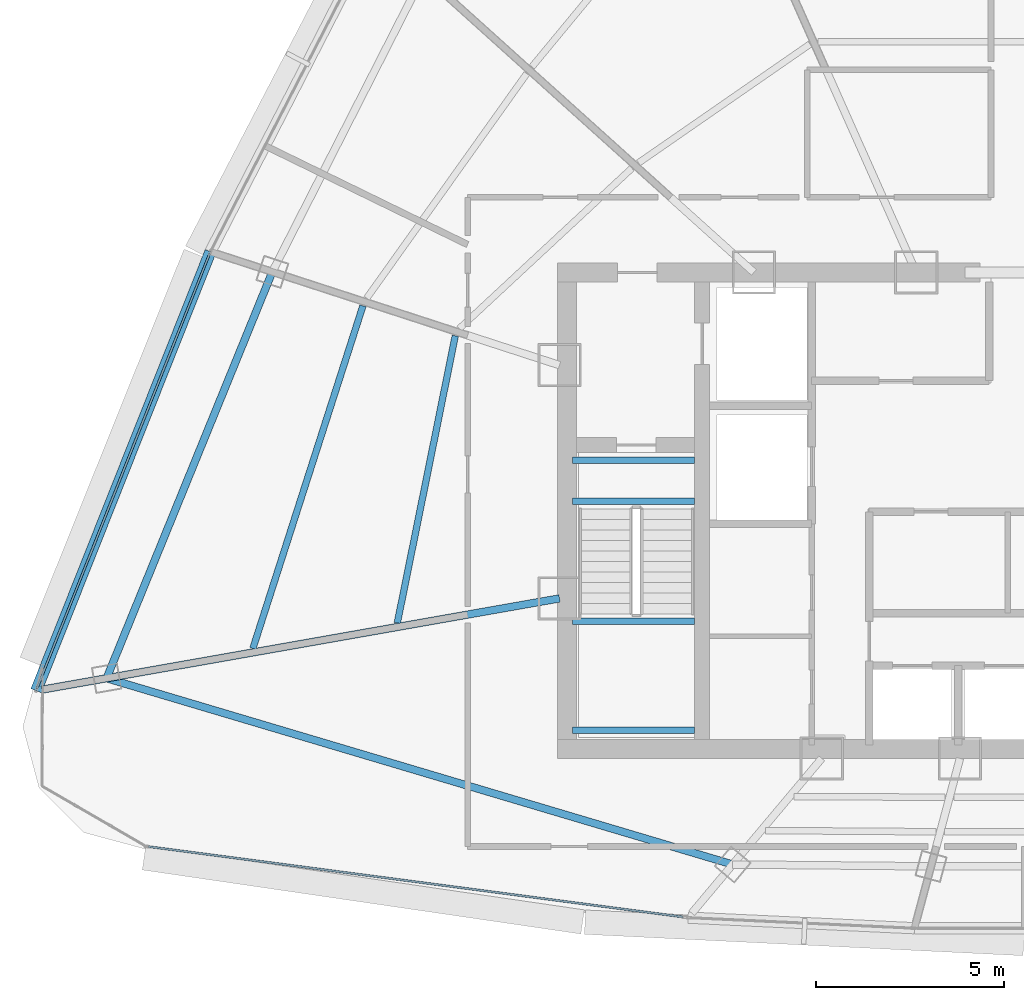
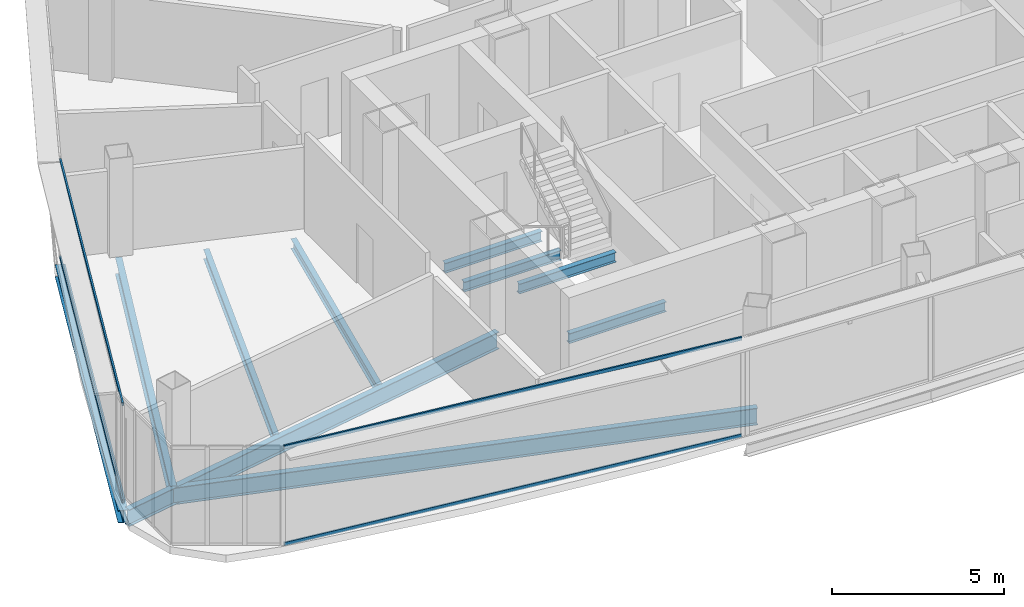
# One storey, part 3 of 29: 10 beams, 4 members, 2 elements without a shape of their own.
"""IFC4 building model written with IfcOpenShell, lengths in metres."""

from ifc_helpers import new_model, si_unit, direction, frame, origin, origin_2d, place, context, subcontext, project, spatial, hollow_rectangle, i_section, extrude, source, transform, mapped, material, layer, layer_set, material_profile, profile_set, type_object, element, aggregate, save


model = new_model("IFC4")

# Units and contexts
model_context = context("Model", 3, precision=1e-05, world=origin(), true_north=direction((0.0, 1.0)))
body_context = subcontext(model_context, "Body", "Model", "MODEL_VIEW")
ifc_project = project(units=[si_unit("LENGTHUNIT", "METRE"), si_unit("AREAUNIT", "SQUARE_METRE"), si_unit("VOLUMEUNIT", "CUBIC_METRE"), si_unit("PLANEANGLEUNIT", "RADIAN"), si_unit("MASSUNIT", "GRAM", prefix="KILO"), si_unit("THERMODYNAMICTEMPERATUREUNIT", "KELVIN"), si_unit("POWERUNIT", "WATT")], contexts=[model_context])

# Site, building, storey
site_placement = place(None, origin())
site = spatial("IfcSite", under=ifc_project, at=site_placement, CompositionType="ELEMENT")
building_placement = place(site_placement, origin())
building = spatial("IfcBuilding", under=site, at=building_placement, Name="Yunzhuo Pagoda Commons", CompositionType="ELEMENT")
storey_placement = place(building_placement, frame((0.0, 0.0, 359.260009765625)))
storey = spatial("IfcBuildingStorey", under=building, at=storey_placement, Name="L90", CompositionType="ELEMENT", Elevation=359.260009765625)

# Beams
ifc_material_1 = material(Name="Structural steel Q355B", Category="steel")
ifc_material_profile_1 = material_profile(ifc_material_1, i_section(OverallWidth=0.175048828125, OverallDepth=0.35009765625, WebThickness=0.007080078125, FlangeThickness=0.010986328125, at=origin_2d()), Name="Structural steel Q355B")
ifc_profile_set_1 = profile_set([ifc_material_profile_1], Name="Structural steel Q355B")
beam_type_1 = type_object("IfcBeamType", Name="B-JS2 Joist HN 350x175x7x11", PredefinedType="JOIST", material=ifc_profile_set_1)
shared_shape_1 = source(origin(), body_context, "Body", "SweptSolid", [
    extrude(i_section(OverallWidth=0.175048828125, OverallDepth=0.35009765625, WebThickness=0.007080078125, FlangeThickness=0.010986328125, at=origin_2d()), origin(), (0.0, 0.0, 1.0), 3.25),
])
for number, where, z_axis, x_axis, name in (
    (1, (35.949951171875, 28.0, 1.5), (1.0, 0.0, 0.0), (0.0, 1.0, 0.0), "L90 ST1 landing support beam 96A"),
    (2, (35.949951171875, 30.89990234375, 1.5), (1.0, 0.0, 0.0), (0.0, 1.0, 0.0), "L90 ST1 landing support beam 96B"),
    (3, (35.949951171875, 34.10009765625, -0.375), (1.0, 0.0, 0.0), (0.0, 1.0, 0.0), "L90 ST1 landing support beam 194A"),
    (4, (35.949951171875, 35.199951171875, -0.375), (1.0, 0.0, 0.0), (0.0, 1.0, 0.0), "L90 ST1 landing support beam 194B"),
):
    element("IfcBeam", number, at=place(storey_placement, frame(where, z_axis=z_axis, x_axis=x_axis)), inside=storey, type_object=beam_type_1, Name=name, PredefinedType="JOIST", context=body_context, shape_type="MappedRepresentation", body=[
        mapped(shared_shape_1, transform((0.0, 0.0, 0.0), scale=1.0)),
    ])
ifc_material_profile_2 = material_profile(ifc_material_1, i_section(OverallWidth=0.199951171875, OverallDepth=0.60009765625, WebThickness=0.010986328125, FlangeThickness=0.01708984375, at=origin_2d()), Name="Structural steel Q355B")
ifc_profile_set_2 = profile_set([ifc_material_profile_2], Name="Structural steel Q355B")
beam_type_2 = type_object("IfcBeamType", Name="B-RG3 Beam HN 600x200x11x17", PredefinedType="BEAM", material=ifc_profile_set_2)
shared_shape_2 = source(origin(), body_context, "Body", "SweptSolid", [
    extrude(i_section(OverallWidth=0.199951171875, OverallDepth=0.60009765625, WebThickness=0.010986328125, FlangeThickness=0.01708984375, at=origin_2d()), origin(), (0.0, 0.0, 1.0), 17.407470703125),
])
beam_1_placement = place(storey_placement, frame((23.52978515625, 29.38525390625, -0.56005859375), z_axis=(0.958484984609, -0.285143006717, 0.0), x_axis=(0.285143006717, 0.958484984609, 0.0)))
element("IfcBeam", 5, at=beam_1_placement, inside=storey, type_object=beam_type_2, Name="L90 column-ring beam 12", PredefinedType="BEAM", context=body_context, shape_type="MappedRepresentation", body=[
    mapped(shared_shape_2, transform((0.0, 0.0, 0.0), scale=1.0)),
])
shared_shape_3 = source(origin(), body_context, "Body", "SweptSolid", [
    extrude(i_section(OverallWidth=0.199951171875, OverallDepth=0.60009765625, WebThickness=0.010986328125, FlangeThickness=0.01708984375, at=origin_2d()), origin(), (0.0, 0.0, 1.0), 11.696533203125),
])
beam_2_placement = place(storey_placement, frame((27.946533203125, 40.2158203125, -0.56005859375), z_axis=(-0.377611800863, -0.925963999219, 0.0), x_axis=(0.925963999219, -0.377611800863, 0.0)))
element("IfcBeam", 6, at=beam_2_placement, inside=storey, type_object=beam_type_2, Name="L90 column-ring beam 11", PredefinedType="BEAM", context=body_context, shape_type="MappedRepresentation", body=[
    mapped(shared_shape_3, transform((0.0, 0.0, 0.0), scale=1.0)),
])
shared_shape_4 = source(origin(), body_context, "Body", "SweptSolid", [
    extrude(i_section(OverallWidth=0.175048828125, OverallDepth=0.35009765625, WebThickness=0.007080078125, FlangeThickness=0.010986328125, at=origin_2d()), origin(), (0.0, 0.0, 1.0), 7.8056640625),
])
beam_3_placement = place(storey_placement, frame((32.822265625, 38.511474609375, -0.43505859375), z_axis=(-0.197890187791, -0.980224195568, 0.0), x_axis=(0.980224195568, -0.197890187791, 0.0)))
element("IfcBeam", 7, at=beam_3_placement, inside=storey, type_object=beam_type_1, Name="L90 composite ring joist 1.11", PredefinedType="JOIST", context=body_context, shape_type="MappedRepresentation", body=[
    mapped(shared_shape_4, transform((0.0, 0.0, 0.0), scale=1.0)),
])
shared_shape_5 = source(origin(), body_context, "Body", "SweptSolid", [
    extrude(i_section(OverallWidth=0.175048828125, OverallDepth=0.35009765625, WebThickness=0.007080078125, FlangeThickness=0.010986328125, at=origin_2d()), origin(), (0.0, 0.0, 1.0), 9.593994140625),
])
beam_4_placement = place(storey_placement, frame((30.360595703125, 39.310546875, -0.43505859375), z_axis=(-0.305719218499, -0.952121714614, 0.0), x_axis=(0.952121714614, -0.305719218499, 0.0)))
element("IfcBeam", 8, at=beam_4_placement, inside=storey, type_object=beam_type_1, Name="L90 composite ring joist 2.11", PredefinedType="JOIST", context=body_context, shape_type="MappedRepresentation", body=[
    mapped(shared_shape_5, transform((0.0, 0.0, 0.0), scale=1.0)),
])
shared_shape_6 = source(origin(), body_context, "Body", "SweptSolid", [
    extrude(i_section(OverallWidth=0.199951171875, OverallDepth=0.60009765625, WebThickness=0.010986328125, FlangeThickness=0.01708984375, at=origin_2d()), origin(), (0.0, 0.0, 1.0), 14.009033203125),
])
beam_5_placement = place(storey_placement, frame((21.803955078125, 29.0810546875, -0.56005859375), z_axis=(0.984810915976, 0.17363023865, 0.0), x_axis=(-0.17363023865, 0.984810915976, 0.0)))
element("IfcBeam", 9, at=beam_5_placement, inside=storey, type_object=beam_type_2, Name="L90 radial floor girder F3C4", PredefinedType="BEAM", context=body_context, shape_type="MappedRepresentation", body=[
    mapped(shared_shape_6, transform((0.0, 0.0, 0.0), scale=1.0)),
])
ifc_material_profile_3 = material_profile(ifc_material_1, i_section(OverallWidth=0.300048828125, OverallDepth=0.43994140625, WebThickness=0.010986328125, FlangeThickness=0.01806640625, at=origin_2d()), Name="Structural steel Q355B")
ifc_profile_set_3 = profile_set([ifc_material_profile_3], Name="Structural steel Q355B")
beam_type_3 = type_object("IfcBeamType", Name="B-SP2 Beam HM 440x300x11x18", PredefinedType="BEAM", material=ifc_profile_set_3)
shared_shape_7 = source(origin(), body_context, "Body", "SweptSolid", [
    extrude(i_section(OverallWidth=0.300048828125, OverallDepth=0.43994140625, WebThickness=0.010986328125, FlangeThickness=0.01806640625, at=origin_2d()), origin(), (0.0, 0.0, 1.0), 12.58642578125),
])
beam_6_placement = place(storey_placement, frame((26.29541015625, 40.752197265625, -0.47998046875), z_axis=(-0.368974795252, -0.929439401182, 0.0), x_axis=(0.929439401182, -0.368974795252, 0.0)))
element("IfcBeam", 10, at=beam_6_placement, inside=storey, type_object=beam_type_3, Name="L90 facade edge spandrel beam F3.3", PredefinedType="BEAM", context=body_context, shape_type="MappedRepresentation", body=[
    mapped(shared_shape_7, transform((0.0, 0.0, 0.0), scale=1.0)),
])

# Curtain wall, members
ifc_material_2 = material(Name="Anodized aluminium 6063-T6", Category="aluminium")
ifc_layer = layer(ifc_material_2, 0.139892578125)
ifc_layer_set = layer_set([ifc_layer], Name="Anodized aluminium 6063-T6")
curtain_wall_type = type_object("IfcCurtainWallType", Name="CW-HI High-Zone Ribbon Curtain Wall", PredefinedType="NOTDEFINED", material=ifc_layer_set)
curtain_wall_1_placement = place(storey_placement, origin())
curtain_wall_1 = element("IfcCurtainWall", 11, at=curtain_wall_1_placement, inside=storey, type_object=curtain_wall_type, Name="L90 curtain wall CW-L90-F1B1", PredefinedType="NOTDEFINED")
ifc_material_profile_4 = material_profile(ifc_material_2, hollow_rectangle(XDim=0.054931640625, YDim=0.1201171875, WallThickness=0.00341796875, at=origin_2d()), Name="Anodized aluminium 6063-T6")
ifc_profile_set_4 = profile_set([ifc_material_profile_4], Name="Anodized aluminium 6063-T6")
member_type = type_object("IfcMemberType", Name="CW-HI-T Transom RHS 120x55x3.5", PredefinedType="USERDEFINED", material=ifc_profile_set_4)
shared_shape_8 = source(origin(), body_context, "Body", "SweptSolid", [
    extrude(hollow_rectangle(XDim=0.054931640625, YDim=0.1201171875, WallThickness=0.00341796875, at=origin_2d()), origin(), (0.0, 0.0, 1.0), 14.375244140625),
])
member_1_placement = place(storey_placement, frame((24.64013671875, 24.899169921875, 0.027587890625), z_axis=(0.991445911577, -0.130518214887, 0.0), x_axis=(0.130518214887, 0.991445911577, 0.0)))
member_1 = element("IfcMember", 12, at=member_1_placement, type_object=member_type, Name="CW transom 1.1", ObjectType="TRANSOM", PredefinedType="USERDEFINED", context=body_context, shape_type="MappedRepresentation", body=[
    mapped(shared_shape_8, transform((0.0, 0.0, 0.0), scale=1.0)),
])
member_2_placement = place(storey_placement, frame((24.64013671875, 24.899169921875, 3.46240234375), z_axis=(0.991445911577, -0.130518214887, 0.0), x_axis=(0.130518214887, 0.991445911577, 0.0)))
member_2 = element("IfcMember", 13, at=member_2_placement, type_object=member_type, Name="CW transom 1.2", ObjectType="TRANSOM", PredefinedType="USERDEFINED", context=body_context, shape_type="MappedRepresentation", body=[
    mapped(shared_shape_8, transform((0.0, 0.0, 0.0), scale=1.0)),
])
aggregate(curtain_wall_1, [member_1, member_2])

curtain_wall_2_placement = place(storey_placement, origin())
curtain_wall_2 = element("IfcCurtainWall", 14, at=curtain_wall_2_placement, inside=storey, type_object=curtain_wall_type, Name="L90 curtain wall CW-L90-F3B4", PredefinedType="NOTDEFINED")
shared_shape_9 = source(origin(), body_context, "Body", "SweptSolid", [
    extrude(hollow_rectangle(XDim=0.054931640625, YDim=0.1201171875, WallThickness=0.00341796875, at=origin_2d()), origin(), (0.0, 0.0, 1.0), 12.46630859375),
])
member_3_placement = place(storey_placement, frame((26.273193359375, 40.696533203125, 0.027587890625), z_axis=(-0.368965029907, -0.929443277831, 0.0), x_axis=(0.929443277831, -0.368965029907, 0.0)))
member_3 = element("IfcMember", 15, at=member_3_placement, type_object=member_type, Name="CW transom 1.1", ObjectType="TRANSOM", PredefinedType="USERDEFINED", context=body_context, shape_type="MappedRepresentation", body=[
    mapped(shared_shape_9, transform((0.0, 0.0, 0.0), scale=1.0)),
])
member_4_placement = place(storey_placement, frame((26.273193359375, 40.696533203125, 3.46240234375), z_axis=(-0.368965029907, -0.929443277831, 0.0), x_axis=(0.929443277831, -0.368965029907, 0.0)))
member_4 = element("IfcMember", 16, at=member_4_placement, type_object=member_type, Name="CW transom 1.2", ObjectType="TRANSOM", PredefinedType="USERDEFINED", context=body_context, shape_type="MappedRepresentation", body=[
    mapped(shared_shape_9, transform((0.0, 0.0, 0.0), scale=1.0)),
])
aggregate(curtain_wall_2, [member_3, member_4])

save(model, "model.ifc")
